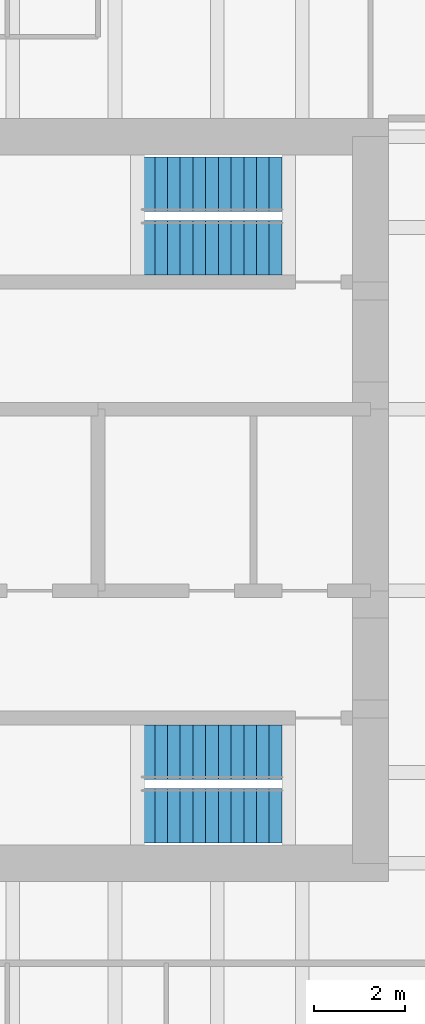
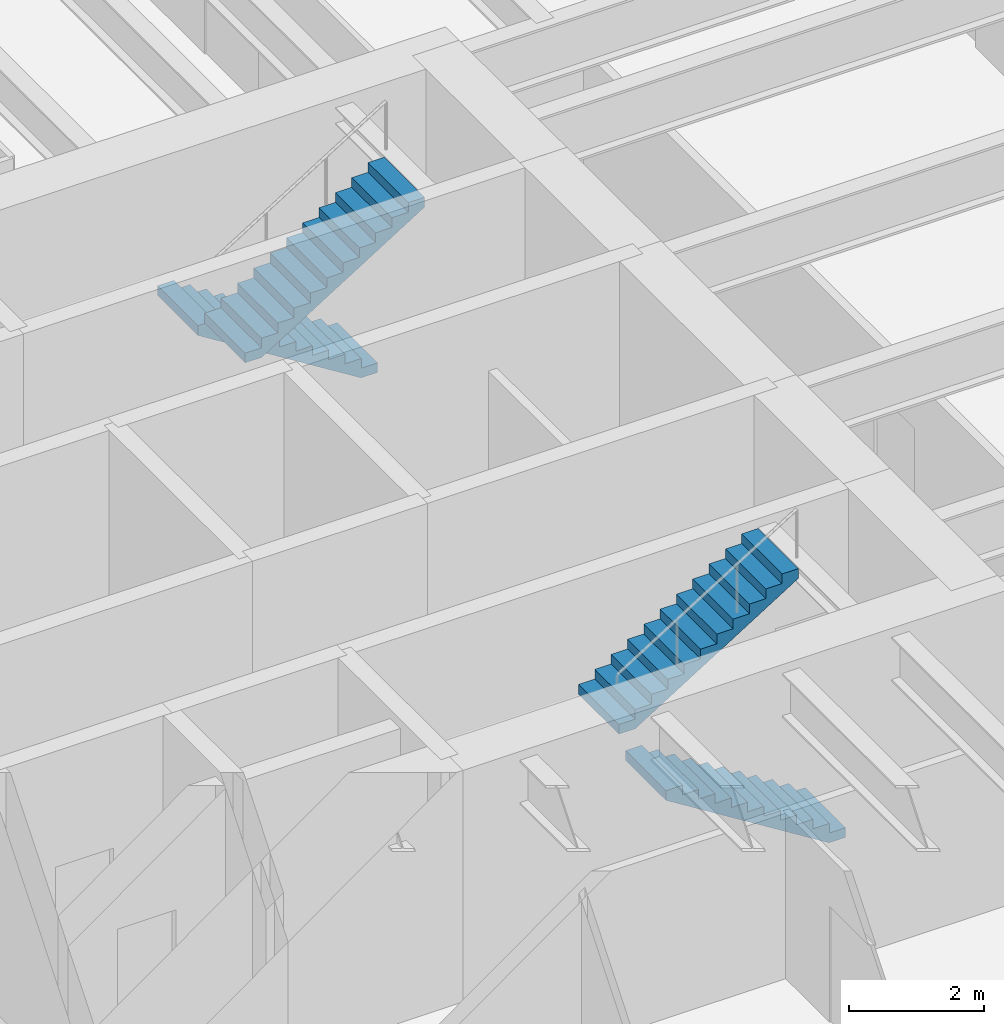
# One storey, part 14 of 15: 4 stair flights, 2 elements without a shape of their own.
"""IFC4 building model written with IfcOpenShell, lengths in metres."""

from ifc_helpers import new_model, si_unit, direction, frame, origin, place, context, subcontext, project, spatial, polyline, outline, extrude, material, type_object, element, aggregate, save


model = new_model("IFC4")

# Units and contexts
model_context = context("Model", 3, precision=1e-05, world=origin(), true_north=direction((0.0, 1.0)))
body_context = subcontext(model_context, "Body", "Model", "MODEL_VIEW")
ifc_project = project(units=[si_unit("LENGTHUNIT", "METRE"), si_unit("AREAUNIT", "SQUARE_METRE"), si_unit("VOLUMEUNIT", "CUBIC_METRE"), si_unit("PLANEANGLEUNIT", "RADIAN"), si_unit("MASSUNIT", "GRAM", prefix="KILO")], contexts=[model_context])

# Site, building, storey
site_placement = place(None, origin())
site = spatial("IfcSite", under=ifc_project, at=site_placement, CompositionType="ELEMENT")
building_placement = place(site_placement, origin())
building = spatial("IfcBuilding", under=site, at=building_placement, Name="Rheinbord Bourse Tower", CompositionType="ELEMENT")
storey_placement = place(building_placement, frame((0.0, 0.0, 257.199951171875)))
storey = spatial("IfcBuildingStorey", under=building, at=storey_placement, Name="L58", CompositionType="ELEMENT", Elevation=257.199951171875)

# Stair, stair flights
ifc_material_1 = material(Name="Concrete C30/37", Category="concrete")
stair_type = type_object("IfcStairType", Name="CORE STAIR HALF TURN 4200", PredefinedType="HALF_TURN_STAIR", material=ifc_material_1)
stair_1_placement = place(storey_placement, origin())
stair_1 = element("IfcStair", 1, at=stair_1_placement, inside=storey, type_object=stair_type, Name="Stair ST3 L58, type CS6", PredefinedType="HALF_TURN_STAIR")
ifc_material_2 = material(Name="Concrete C30/37", Category="concrete")
stair_flight_type = type_object("IfcStairFlightType", Name="CORE STAIR FLIGHT 1200, 12 RISERS", PredefinedType="STRAIGHT", material=ifc_material_2)
stair_flight_1_placement = place(storey_placement, frame((52.050048828125, 17.050048828125, 0.0), z_axis=(0.0, 0.0, 1.0), x_axis=(-1.0, 0.0, 0.0)))
stair_flight_1 = element("IfcStairFlight", 2, at=stair_flight_1_placement, type_object=stair_flight_type, Name="STAIR L58 ST3 F1", NumberOfRisers=12, NumberOfTreads=11, PredefinedType="STRAIGHT", RiserHeight=0.175, TreadLength=0.28, context=body_context, shape_type="SweptSolid", body=[
    extrude(outline(polyline([(0.0, 0.0), (0.0, 0.175048828125), (0.280029296875, 0.175048828125), (0.280029296875, 0.35009765625), (0.56005859375, 0.35009765625), (0.56005859375, 0.52490234375), (0.840087890625, 0.52490234375), (0.840087890625, 0.699951171875), (1.1201171875, 0.699951171875), (1.1201171875, 0.875), (1.39990234375, 0.875), (1.39990234375, 1.050048828125), (1.679931640625, 1.050048828125), (1.679931640625, 1.22509765625), (1.9599609375, 1.22509765625), (1.9599609375, 1.39990234375), (2.239990234375, 1.39990234375), (2.239990234375, 1.574951171875), (2.52001953125, 1.574951171875), (2.52001953125, 1.75), (2.800048828125, 1.75), (2.800048828125, 1.925048828125), (3.080078125, 1.925048828125), (3.080078125, 2.10009765625), (3.080078125, 1.748291015625), (0.28271484375, 0.0), (0.0, 0.0)])), frame((0.0, 0.60009765625, 0.0), z_axis=(0.0, -1.0, 0.0), x_axis=(1.0, 0.0, 0.0)), (0.0, 0.0, 1.0), 1.199951171875),
])
stair_flight_2_placement = place(storey_placement, frame((48.969970703125, 18.449951171875, 2.10009765625), z_axis=(0.0, 0.0, 1.0), x_axis=(1.0, 0.0, 0.0)))
stair_flight_2 = element("IfcStairFlight", 3, at=stair_flight_2_placement, type_object=stair_flight_type, Name="STAIR L58 ST3 F2", NumberOfRisers=12, NumberOfTreads=11, PredefinedType="STRAIGHT", RiserHeight=0.175, TreadLength=0.28, context=body_context, shape_type="SweptSolid", body=[
    extrude(outline(polyline([(0.0, 0.0), (0.0, 0.175048828125), (0.280029296875, 0.175048828125), (0.280029296875, 0.35009765625), (0.56005859375, 0.35009765625), (0.56005859375, 0.52490234375), (0.840087890625, 0.52490234375), (0.840087890625, 0.699951171875), (1.1201171875, 0.699951171875), (1.1201171875, 0.875), (1.39990234375, 0.875), (1.39990234375, 1.050048828125), (1.679931640625, 1.050048828125), (1.679931640625, 1.22509765625), (1.9599609375, 1.22509765625), (1.9599609375, 1.39990234375), (2.239990234375, 1.39990234375), (2.239990234375, 1.574951171875), (2.52001953125, 1.574951171875), (2.52001953125, 1.75), (2.800048828125, 1.75), (2.800048828125, 1.925048828125), (3.080078125, 1.925048828125), (3.080078125, 2.10009765625), (3.080078125, 1.748291015625), (0.28271484375, 0.0), (0.0, 0.0)])), frame((0.0, 0.60009765625, 0.0), z_axis=(0.0, -1.0, 0.0), x_axis=(1.0, 0.0, 0.0)), (0.0, 0.0, 1.0), 1.199951171875),
])
aggregate(stair_1, [stair_flight_1, stair_flight_2])

stair_2_placement = place(storey_placement, origin())
stair_2 = element("IfcStair", 4, at=stair_2_placement, inside=storey, type_object=stair_type, Name="Stair ST4 L58, type CS6", PredefinedType="HALF_TURN_STAIR")
stair_flight_3_placement = place(storey_placement, frame((52.050048828125, 30.949951171875, 0.0), z_axis=(0.0, 0.0, 1.0), x_axis=(-1.0, 0.0, 0.0)))
stair_flight_3 = element("IfcStairFlight", 5, at=stair_flight_3_placement, type_object=stair_flight_type, Name="STAIR L58 ST4 F1", NumberOfRisers=12, NumberOfTreads=11, PredefinedType="STRAIGHT", RiserHeight=0.175, TreadLength=0.28, context=body_context, shape_type="SweptSolid", body=[
    extrude(outline(polyline([(0.0, 0.0), (0.0, 0.175048828125), (0.280029296875, 0.175048828125), (0.280029296875, 0.35009765625), (0.56005859375, 0.35009765625), (0.56005859375, 0.52490234375), (0.840087890625, 0.52490234375), (0.840087890625, 0.699951171875), (1.1201171875, 0.699951171875), (1.1201171875, 0.875), (1.39990234375, 0.875), (1.39990234375, 1.050048828125), (1.679931640625, 1.050048828125), (1.679931640625, 1.22509765625), (1.9599609375, 1.22509765625), (1.9599609375, 1.39990234375), (2.239990234375, 1.39990234375), (2.239990234375, 1.574951171875), (2.52001953125, 1.574951171875), (2.52001953125, 1.75), (2.800048828125, 1.75), (2.800048828125, 1.925048828125), (3.080078125, 1.925048828125), (3.080078125, 2.10009765625), (3.080078125, 1.748291015625), (0.28271484375, 0.0), (0.0, 0.0)])), frame((0.0, 0.60009765625, 0.0), z_axis=(0.0, -1.0, 0.0), x_axis=(1.0, 0.0, 0.0)), (0.0, 0.0, 1.0), 1.199951171875),
])
stair_flight_4_placement = place(storey_placement, frame((48.969970703125, 29.550048828125, 2.10009765625), z_axis=(0.0, 0.0, 1.0), x_axis=(1.0, 0.0, 0.0)))
stair_flight_4 = element("IfcStairFlight", 6, at=stair_flight_4_placement, type_object=stair_flight_type, Name="STAIR L58 ST4 F2", NumberOfRisers=12, NumberOfTreads=11, PredefinedType="STRAIGHT", RiserHeight=0.175, TreadLength=0.28, context=body_context, shape_type="SweptSolid", body=[
    extrude(outline(polyline([(0.0, 0.0), (0.0, 0.175048828125), (0.280029296875, 0.175048828125), (0.280029296875, 0.35009765625), (0.56005859375, 0.35009765625), (0.56005859375, 0.52490234375), (0.840087890625, 0.52490234375), (0.840087890625, 0.699951171875), (1.1201171875, 0.699951171875), (1.1201171875, 0.875), (1.39990234375, 0.875), (1.39990234375, 1.050048828125), (1.679931640625, 1.050048828125), (1.679931640625, 1.22509765625), (1.9599609375, 1.22509765625), (1.9599609375, 1.39990234375), (2.239990234375, 1.39990234375), (2.239990234375, 1.574951171875), (2.52001953125, 1.574951171875), (2.52001953125, 1.75), (2.800048828125, 1.75), (2.800048828125, 1.925048828125), (3.080078125, 1.925048828125), (3.080078125, 2.10009765625), (3.080078125, 1.748291015625), (0.28271484375, 0.0), (0.0, 0.0)])), frame((0.0, 0.60009765625, 0.0), z_axis=(0.0, -1.0, 0.0), x_axis=(1.0, 0.0, 0.0)), (0.0, 0.0, 1.0), 1.199951171875),
])
aggregate(stair_2, [stair_flight_3, stair_flight_4])

save(model, "model.ifc")
